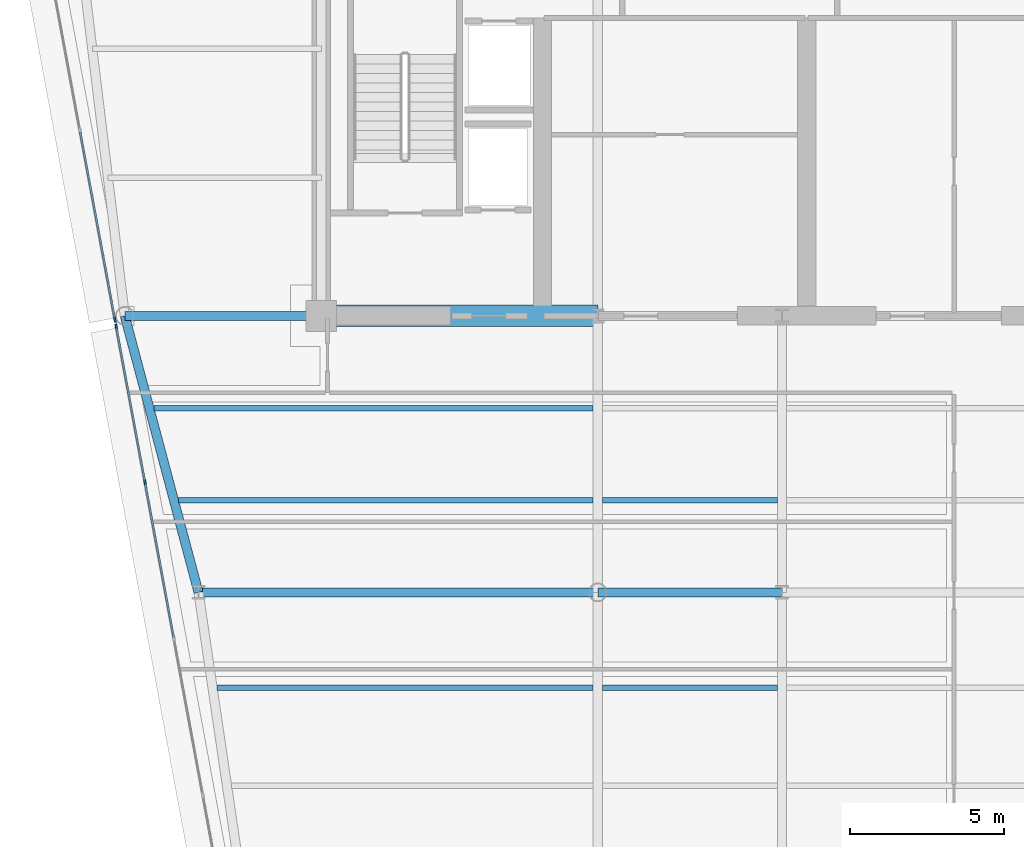
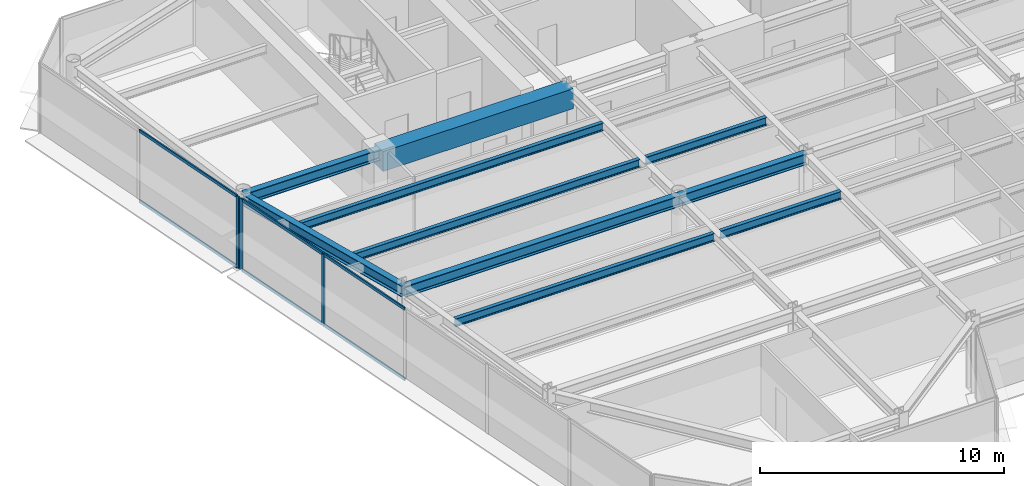
# One storey, part 4 of 17: 10 beams, 9 members, 2 elements without a shape of their own.
"""IFC4 building model written with IfcOpenShell, lengths in metres."""

from ifc_helpers import new_model, si_unit, direction, frame, origin, origin_2d, place, context, subcontext, project, spatial, rectangle, i_section, extrude, source, transform, mapped, material, layer, layer_set, material_profile, profile_set, type_object, element, aggregate, save


model = new_model("IFC4")

# Units and contexts
model_context = context("Model", 3, precision=1e-05, world=origin(), true_north=direction((0.0, 1.0)))
body_context = subcontext(model_context, "Body", "Model", "MODEL_VIEW")
ifc_project = project(units=[si_unit("LENGTHUNIT", "METRE"), si_unit("AREAUNIT", "SQUARE_METRE"), si_unit("VOLUMEUNIT", "CUBIC_METRE"), si_unit("PLANEANGLEUNIT", "RADIAN"), si_unit("MASSUNIT", "GRAM", prefix="KILO")], contexts=[model_context])

# Site, building, storey
site_placement = place(None, origin())
site = spatial("IfcSite", under=ifc_project, at=site_placement, CompositionType="ELEMENT")
building_placement = place(site_placement, origin())
building = spatial("IfcBuilding", under=site, at=building_placement, Name="Vaeldorn Concourse Tower", CompositionType="ELEMENT")
storey_placement = place(building_placement, frame((0.0, 0.0, 230.800048828125)))
storey = spatial("IfcBuildingStorey", under=building, at=storey_placement, Name="L59", CompositionType="ELEMENT", Elevation=230.800048828125)

# Beams
ifc_material_1 = material(Name="Concrete C50/60", Category="concrete")
ifc_material_profile_1 = material_profile(ifc_material_1, rectangle(XDim=0.699951171875, YDim=1.0, at=origin_2d()), Name="RC 700x1000")
ifc_profile_set_1 = profile_set([ifc_material_profile_1], Name="Concrete C50/60")
beam_type_1 = type_object("IfcBeamType", Name="BM-CB-RC700", PredefinedType="BEAM", material=ifc_profile_set_1)
shared_shape_1 = source(origin(), body_context, "Body", "SweptSolid", [
    extrude(rectangle(XDim=0.699951171875, YDim=1.0, at=origin_2d()), origin(), (0.0, 0.0, 1.0), 9.0),
])
beam_1_placement = place(storey_placement, frame((14.0, 36.5, 3.079833984375), z_axis=(1.0, 0.0, 0.0), x_axis=(0.0, 1.0, 0.0)))
element("IfcBeam", 1, at=beam_1_placement, inside=storey, type_object=beam_type_1, Name="Core Coupling Beam L59-1", PredefinedType="BEAM", context=body_context, shape_type="MappedRepresentation", body=[
    mapped(shared_shape_1, transform((0.0, 0.0, 0.0), scale=1.0)),
])
ifc_material_2 = material(Name="Steel S355", Category="steel")
ifc_material_profile_2 = material_profile(ifc_material_2, i_section(OverallWidth=0.179931640625, OverallDepth=0.39990234375, WebThickness=0.008544921875, FlangeThickness=0.013427734375, FilletRadius=0.02099609375, at=origin_2d()), Name="IPE 400")
ifc_profile_set_2 = profile_set([ifc_material_profile_2], Name="Steel S355")
beam_type_2 = type_object("IfcBeamType", Name="BM-JS-IPE400", PredefinedType="JOIST", material=ifc_profile_set_2)
shared_shape_2 = source(origin(), body_context, "Body", "SweptSolid", [
    extrude(i_section(OverallWidth=0.179931640625, OverallDepth=0.39990234375, WebThickness=0.008544921875, FlangeThickness=0.013427734375, FilletRadius=0.02099609375, at=origin_2d()), origin(), (0.0, 0.0, 1.0), 5.7001953125),
])
for number, where, z_axis, x_axis, name in (
    (2, (23.14990234375, 24.39990234375, 3.3798828125), (1.0, 0.0, 0.0), (0.0, 1.0, 0.0), "Beam JS-L59-W2-244"),
    (3, (23.14990234375, 30.5, 3.3798828125), (1.0, 0.0, 0.0), (0.0, 1.0, 0.0), "Beam JS-L59-W2-305"),
):
    element("IfcBeam", number, at=place(storey_placement, frame(where, z_axis=z_axis, x_axis=x_axis)), inside=storey, type_object=beam_type_2, Name=name, PredefinedType="JOIST", context=body_context, shape_type="MappedRepresentation", body=[
        mapped(shared_shape_2, transform((0.0, 0.0, 0.0), scale=1.0)),
    ])
shared_shape_3 = source(origin(), body_context, "Body", "SweptSolid", [
    extrude(i_section(OverallWidth=0.179931640625, OverallDepth=0.39990234375, WebThickness=0.008544921875, FlangeThickness=0.013427734375, FilletRadius=0.02099609375, at=origin_2d()), origin(), (0.0, 0.0, 1.0), 12.243408203125),
])
beam_2_placement = place(storey_placement, frame((10.606689453125, 24.39990234375, 3.3798828125), z_axis=(1.0, 0.0, 0.0), x_axis=(0.0, 1.0, 0.0)))
element("IfcBeam", 4, at=beam_2_placement, inside=storey, type_object=beam_type_2, Name="Beam JS-L59-W1-244", PredefinedType="JOIST", context=body_context, shape_type="MappedRepresentation", body=[
    mapped(shared_shape_3, transform((0.0, 0.0, 0.0), scale=1.0)),
])
shared_shape_4 = source(origin(), body_context, "Body", "SweptSolid", [
    extrude(i_section(OverallWidth=0.179931640625, OverallDepth=0.39990234375, WebThickness=0.008544921875, FlangeThickness=0.013427734375, FilletRadius=0.02099609375, at=origin_2d()), origin(), (0.0, 0.0, 1.0), 13.5),
])
beam_3_placement = place(storey_placement, frame((9.35009765625, 30.5, 3.3798828125), z_axis=(1.0, 0.0, 0.0), x_axis=(0.0, 1.0, 0.0)))
element("IfcBeam", 5, at=beam_3_placement, inside=storey, type_object=beam_type_2, Name="Beam JS-L59-W1-305", PredefinedType="JOIST", context=body_context, shape_type="MappedRepresentation", body=[
    mapped(shared_shape_4, transform((0.0, 0.0, 0.0), scale=1.0)),
])
shared_shape_5 = source(origin(), body_context, "Body", "SweptSolid", [
    extrude(i_section(OverallWidth=0.179931640625, OverallDepth=0.39990234375, WebThickness=0.008544921875, FlangeThickness=0.013427734375, FilletRadius=0.02099609375, at=origin_2d()), origin(), (0.0, 0.0, 1.0), 14.300048828125),
])
beam_4_placement = place(storey_placement, frame((8.550048828125, 33.5, 3.3798828125), z_axis=(1.0, 0.0, 0.0), x_axis=(0.0, 1.0, 0.0)))
element("IfcBeam", 6, at=beam_4_placement, inside=storey, type_object=beam_type_2, Name="Beam JS-L59-W1-335", PredefinedType="JOIST", context=body_context, shape_type="MappedRepresentation", body=[
    mapped(shared_shape_5, transform((0.0, 0.0, 0.0), scale=1.0)),
])
ifc_material_profile_3 = material_profile(ifc_material_2, i_section(OverallWidth=0.300048828125, OverallDepth=0.550048828125, WebThickness=0.014892578125, FlangeThickness=0.029052734375, FilletRadius=0.027099609375, at=origin_2d()), Name="HEB 550")
ifc_profile_set_3 = profile_set([ifc_material_profile_3], Name="Steel S355")
beam_type_3 = type_object("IfcBeamType", Name="BM-PG-HEB550", PredefinedType="BEAM", material=ifc_profile_set_3)
shared_shape_6 = source(origin(), body_context, "Body", "SweptSolid", [
    extrude(i_section(OverallWidth=0.300048828125, OverallDepth=0.550048828125, WebThickness=0.014892578125, FlangeThickness=0.029052734375, FilletRadius=0.027099609375, at=origin_2d()), origin(), (0.0, 0.0, 1.0), 6.0),
])
beam_5_placement = place(storey_placement, frame((23.0, 27.5, 3.304931640625), z_axis=(1.0, 0.0, 0.0), x_axis=(0.0, 1.0, 0.0)))
element("IfcBeam", 7, at=beam_5_placement, inside=storey, type_object=beam_type_3, Name="Beam BM-L59-C-TW1-C-TW2", PredefinedType="BEAM", context=body_context, shape_type="MappedRepresentation", body=[
    mapped(shared_shape_6, transform((0.0, 0.0, 0.0), scale=1.0)),
])
shared_shape_7 = source(origin(), body_context, "Body", "SweptSolid", [
    extrude(i_section(OverallWidth=0.300048828125, OverallDepth=0.550048828125, WebThickness=0.014892578125, FlangeThickness=0.029052734375, FilletRadius=0.027099609375, at=origin_2d()), origin(), (0.0, 0.0, 1.0), 6.39990234375),
])
beam_6_placement = place(storey_placement, frame((7.60009765625, 36.5, 3.304931640625), z_axis=(1.0, 0.0, 0.0), x_axis=(0.0, 1.0, 0.0)))
element("IfcBeam", 8, at=beam_6_placement, inside=storey, type_object=beam_type_3, Name="Beam BM-L59-C-NW2-C-FC1", PredefinedType="BEAM", context=body_context, shape_type="MappedRepresentation", body=[
    mapped(shared_shape_7, transform((0.0, 0.0, 0.0), scale=1.0)),
])
shared_shape_8 = source(origin(), body_context, "Body", "SweptSolid", [
    extrude(i_section(OverallWidth=0.300048828125, OverallDepth=0.550048828125, WebThickness=0.014892578125, FlangeThickness=0.029052734375, FilletRadius=0.027099609375, at=origin_2d()), origin(), (0.0, 0.0, 1.0), 9.314453125),
])
beam_7_placement = place(storey_placement, frame((7.60009765625, 36.5, 3.304931640625), z_axis=(0.257652862255, -0.966237549763, 0.0), x_axis=(0.966237549763, 0.257652862255, 0.0)))
element("IfcBeam", 9, at=beam_7_placement, inside=storey, type_object=beam_type_3, Name="Beam BM-L59-C-NW2-C-FLW1", PredefinedType="BEAM", context=body_context, shape_type="MappedRepresentation", body=[
    mapped(shared_shape_8, transform((0.0, 0.0, 0.0), scale=1.0)),
])
shared_shape_9 = source(origin(), body_context, "Body", "SweptSolid", [
    extrude(i_section(OverallWidth=0.300048828125, OverallDepth=0.550048828125, WebThickness=0.014892578125, FlangeThickness=0.029052734375, FilletRadius=0.027099609375, at=origin_2d()), origin(), (0.0, 0.0, 1.0), 13.0),
])
beam_8_placement = place(storey_placement, frame((10.0, 27.5, 3.304931640625), z_axis=(1.0, 0.0, 0.0), x_axis=(0.0, 1.0, 0.0)))
element("IfcBeam", 10, at=beam_8_placement, inside=storey, type_object=beam_type_3, Name="Beam BM-L59-C-FLW1-C-TW1", PredefinedType="BEAM", context=body_context, shape_type="MappedRepresentation", body=[
    mapped(shared_shape_9, transform((0.0, 0.0, 0.0), scale=1.0)),
])

# Curtain wall, member
ifc_material_3 = material(Name="Anodised Bronze Aluminium", Category="aluminium")
ifc_layer = layer(ifc_material_3, 0.179931640625)
ifc_layer_set = layer_set([ifc_layer], Name="Anodised Bronze Aluminium")
curtain_wall_type = type_object("IfcCurtainWallType", Name="CW-SYS-05", PredefinedType="NOTDEFINED", material=ifc_layer_set)
curtain_wall_1_placement = place(storey_placement, origin())
curtain_wall_1 = element("IfcCurtainWall", 11, at=curtain_wall_1_placement, inside=storey, type_object=curtain_wall_type, Name="Unitised Curtain Wall CW-L59-E11-1", PredefinedType="NOTDEFINED")
ifc_material_profile_4 = material_profile(ifc_material_3, rectangle(XDim=0.06494140625, YDim=0.169921875, at=origin_2d()), Name="CWM 65x170")
ifc_profile_set_4 = profile_set([ifc_material_profile_4], Name="Anodised Bronze Aluminium")
member_type_1 = type_object("IfcMemberType", Name="CWM-BRONZE-170", PredefinedType="MULLION", material=ifc_profile_set_4)
shared_shape_10 = source(origin(), body_context, "Body", "SweptSolid", [
    extrude(rectangle(XDim=0.06494140625, YDim=0.169921875, at=origin_2d()), origin(), (0.0, 0.0, 1.0), 3.579833984375),
])
member_1_placement = place(storey_placement, frame((7.279052734375, 36.37890625, 0.0), z_axis=(0.0, 0.0, 1.0), x_axis=(0.983319198447, 0.181888300792, 0.0)))
member_1 = element("IfcMember", 12, at=member_1_placement, type_object=member_type_1, Name="CW-05 mullion 3", PredefinedType="MULLION", context=body_context, shape_type="MappedRepresentation", body=[
    mapped(shared_shape_10, transform((0.0, 0.0, 0.0), scale=1.0)),
])

# Curtain wall, members
curtain_wall_2_placement = place(storey_placement, origin())
curtain_wall_2 = element("IfcCurtainWall", 13, at=curtain_wall_2_placement, inside=storey, type_object=curtain_wall_type, Name="Unitised Curtain Wall CW-L59-E11-2", PredefinedType="NOTDEFINED")
member_2_placement = place(storey_placement, frame((7.32080078125, 36.153076171875, 0.0), z_axis=(0.0, 0.0, 1.0), x_axis=(0.98331890588, 0.181889882456, 0.0)))
member_2 = element("IfcMember", 14, at=member_2_placement, type_object=member_type_1, Name="CW-05 mullion 1", PredefinedType="MULLION", context=body_context, shape_type="MappedRepresentation", body=[
    mapped(shared_shape_10, transform((0.0, 0.0, 0.0), scale=1.0)),
])
member_3_placement = place(storey_placement, frame((8.2578125, 31.087890625, 0.0), z_axis=(0.0, 0.0, 1.0), x_axis=(0.98331890588, 0.181889882456, 0.0)))
member_3 = element("IfcMember", 15, at=member_3_placement, type_object=member_type_1, Name="CW-05 mullion 2", PredefinedType="MULLION", context=body_context, shape_type="MappedRepresentation", body=[
    mapped(shared_shape_10, transform((0.0, 0.0, 0.0), scale=1.0)),
])
ifc_material_profile_5 = material_profile(ifc_material_3, rectangle(XDim=0.06494140625, YDim=0.14990234375, at=origin_2d()), Name="CWT 65x150")
ifc_profile_set_5 = profile_set([ifc_material_profile_5], Name="Anodised Bronze Aluminium")
member_type_2 = type_object("IfcMemberType", Name="CWT-BRONZE-150", PredefinedType="USERDEFINED", material=ifc_profile_set_5)
shared_shape_11 = source(origin(), body_context, "Body", "SweptSolid", [
    extrude(rectangle(XDim=0.06494140625, YDim=0.14990234375, at=origin_2d()), origin(), (0.0, 0.0, 1.0), 5.0859375),
])
member_4_placement = place(storey_placement, frame((7.32666015625, 36.12109375, 0.032470703125), z_axis=(0.181879549724, -0.983320817125, 0.0), x_axis=(0.983320817125, 0.181879549724, 0.0)))
member_4 = element("IfcMember", 16, at=member_4_placement, type_object=member_type_2, Name="CW-05 transom 1.1", ObjectType="TRANSOM", PredefinedType="USERDEFINED", context=body_context, shape_type="MappedRepresentation", body=[
    mapped(shared_shape_11, transform((0.0, 0.0, 0.0), scale=1.0)),
])
member_5_placement = place(storey_placement, frame((7.32666015625, 36.12109375, 3.54736328125), z_axis=(0.181879549724, -0.983320817125, 0.0), x_axis=(0.983320817125, 0.181879549724, 0.0)))
member_5 = element("IfcMember", 17, at=member_5_placement, type_object=member_type_2, Name="CW-05 transom 1.2", ObjectType="TRANSOM", PredefinedType="USERDEFINED", context=body_context, shape_type="MappedRepresentation", body=[
    mapped(shared_shape_11, transform((0.0, 0.0, 0.0), scale=1.0)),
])
shared_shape_12 = source(origin(), body_context, "Body", "SweptSolid", [
    extrude(rectangle(XDim=0.06494140625, YDim=0.14990234375, at=origin_2d()), origin(), (0.0, 0.0, 1.0), 5.11865234375),
])
member_6_placement = place(storey_placement, frame((8.263671875, 31.05615234375, 0.032470703125), z_axis=(0.181868925515, -0.983322782169, 0.0), x_axis=(0.983322782169, 0.181868925515, 0.0)))
member_6 = element("IfcMember", 18, at=member_6_placement, type_object=member_type_2, Name="CW-05 transom 2.1", ObjectType="TRANSOM", PredefinedType="USERDEFINED", context=body_context, shape_type="MappedRepresentation", body=[
    mapped(shared_shape_12, transform((0.0, 0.0, 0.0), scale=1.0)),
])
member_7_placement = place(storey_placement, frame((8.263671875, 31.05615234375, 3.54736328125), z_axis=(0.181868925515, -0.983322782169, 0.0), x_axis=(0.983322782169, 0.181868925515, 0.0)))
member_7 = element("IfcMember", 19, at=member_7_placement, type_object=member_type_2, Name="CW-05 transom 2.2", ObjectType="TRANSOM", PredefinedType="USERDEFINED", context=body_context, shape_type="MappedRepresentation", body=[
    mapped(shared_shape_12, transform((0.0, 0.0, 0.0), scale=1.0)),
])
aggregate(curtain_wall_2, [member_2, member_3, member_4, member_5, member_6, member_7])

# Member
shared_shape_13 = source(origin(), body_context, "Body", "SweptSolid", [
    extrude(rectangle(XDim=0.06494140625, YDim=0.14990234375, at=origin_2d()), origin(), (0.0, 0.0, 1.0), 6.183837890625),
])
member_8_placement = place(storey_placement, frame((6.1484375, 42.491455078125, 0.032470703125), z_axis=(0.181889913007, -0.983318900228, 0.0), x_axis=(0.983318900228, 0.181889913007, 0.0)))
member_8 = element("IfcMember", 20, at=member_8_placement, type_object=member_type_2, Name="CW-05 transom 2.1", ObjectType="TRANSOM", PredefinedType="USERDEFINED", context=body_context, shape_type="MappedRepresentation", body=[
    mapped(shared_shape_13, transform((0.0, 0.0, 0.0), scale=1.0)),
])

member_9_placement = place(storey_placement, frame((6.1484375, 42.491455078125, 3.54736328125), z_axis=(0.181889913007, -0.983318900228, 0.0), x_axis=(0.983318900228, 0.181889913007, 0.0)))
member_9 = element("IfcMember", 21, at=member_9_placement, type_object=member_type_2, Name="CW-05 transom 2.2", ObjectType="TRANSOM", PredefinedType="USERDEFINED", context=body_context, shape_type="MappedRepresentation", body=[
    mapped(shared_shape_13, transform((0.0, 0.0, 0.0), scale=1.0)),
])

aggregate(curtain_wall_1, [member_1, member_8, member_9])

save(model, "model.ifc")
